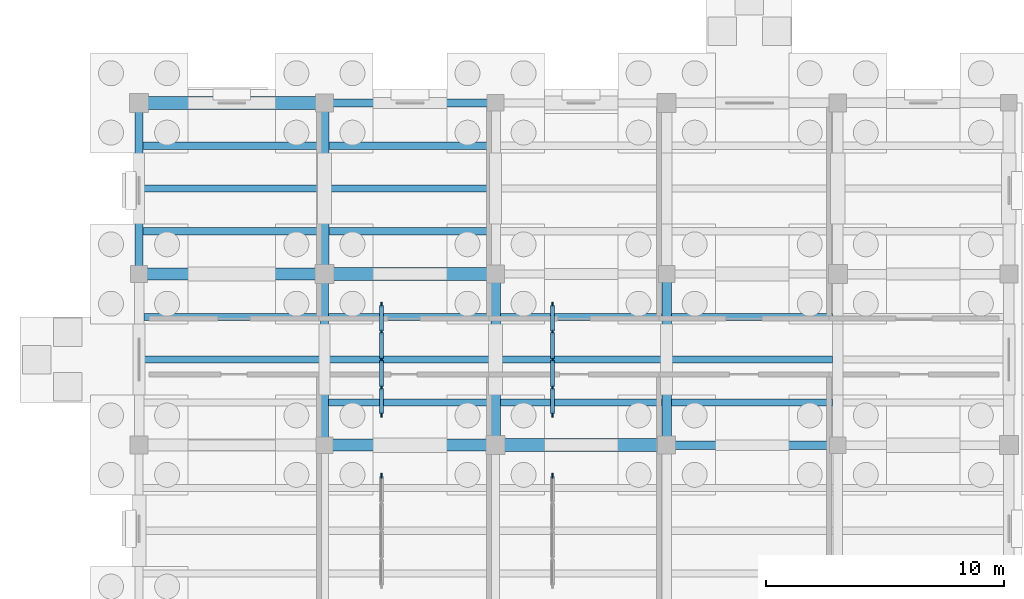
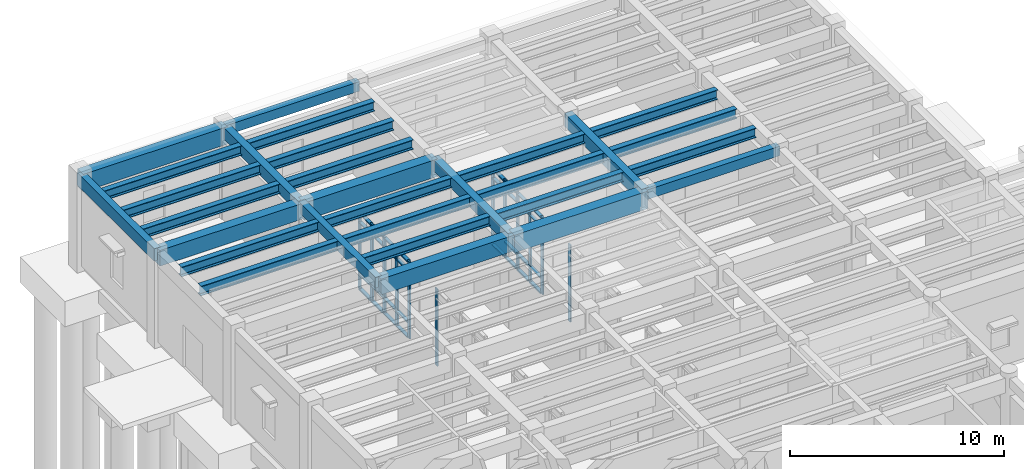
# One storey, part 25 of 100: 44 members, 29 beams, 4 elements without a shape of their own.
"""IFC4 building model written with IfcOpenShell, lengths in metres."""

from ifc_helpers import new_model, si_unit, direction, frame, origin, origin_2d, place, context, subcontext, project, spatial, rectangle, i_section, extrude, material, material_profile, profile_set, type_object, element, aggregate, save


model = new_model("IFC4")

# Units and contexts
model_context = context("Model", 3, precision=1e-05, world=origin(), true_north=direction((0.0, 1.0)))
body_context = subcontext(model_context, "Body", "Model", "MODEL_VIEW")
ifc_project = project(units=[si_unit("LENGTHUNIT", "METRE"), si_unit("AREAUNIT", "SQUARE_METRE"), si_unit("VOLUMEUNIT", "CUBIC_METRE"), si_unit("PLANEANGLEUNIT", "RADIAN"), si_unit("MASSUNIT", "GRAM", prefix="KILO")], contexts=[model_context])

# Site, building, storey
site_placement = place(None, origin())
site = spatial("IfcSite", under=ifc_project, at=site_placement, CompositionType="ELEMENT")
building_placement = place(site_placement, origin())
building = spatial("IfcBuilding", under=site, at=building_placement, Name="Mithqara Police Headquarters", CompositionType="ELEMENT")
storey_placement = place(building_placement, origin())
storey = spatial("IfcBuildingStorey", under=building, at=storey_placement, Name="L00", CompositionType="ELEMENT", Elevation=0.0)

# Beams
ifc_material_1 = material(Name="Steel S355JR", Category="steel")
ifc_material_profile_1 = material_profile(ifc_material_1, i_section(OverallWidth=0.300048828125, OverallDepth=0.550048828125, WebThickness=0.014892578125, FlangeThickness=0.029052734375, FilletRadius=0.027099609375, at=origin_2d()), Name="HEB 550")
ifc_profile_set_1 = profile_set([ifc_material_profile_1], Name="Steel S355JR")
beam_type_1 = type_object("IfcBeamType", Name="BEAM HEB550", PredefinedType="BEAM", material=ifc_profile_set_1)
for number, where, z_axis, x_axis, name in (
    (1, (0.199951171875, 96.60009765625, 4.844970703125), (1.0, 0.0, 0.0), (0.0, 1.0, 0.0), "L00 Composite Steel Joist 1-2/P.2"),
    (2, (0.199951171875, 98.39990234375, 4.844970703125), (1.0, 0.0, 0.0), (0.0, 1.0, 0.0), "L00 Composite Steel Joist 1-2/P.3"),
    (3, (0.175048828125, 102.0, 4.844970703125), (1.0, 0.0, 0.0), (0.0, 1.0, 0.0), "L00 Composite Steel Joist 1-2/Q.1"),
    (4, (0.175048828125, 103.800048828125, 4.844970703125), (1.0, 0.0, 0.0), (0.0, 1.0, 0.0), "L00 Composite Steel Joist 1-2/Q.2"),
    (5, (0.175048828125, 105.60009765625, 4.844970703125), (1.0, 0.0, 0.0), (0.0, 1.0, 0.0), "L00 Composite Steel Joist 1-2/Q.3"),
):
    element("IfcBeam", number, at=place(storey_placement, frame(where, z_axis=z_axis, x_axis=x_axis)), inside=storey, type_object=beam_type_1, Name=name, PredefinedType="BEAM", context=body_context, shape_type="SweptSolid", body=[
        extrude(i_section(OverallWidth=0.300048828125, OverallDepth=0.550048828125, WebThickness=0.014892578125, FlangeThickness=0.029052734375, FilletRadius=0.027099609375, at=origin_2d()), origin(), (0.0, 0.0, 1.0), 7.425048828125),
    ])
for number, where, z_axis, x_axis, name in (
    (6, (7.97509765625, 94.800048828125, 4.844970703125), (1.0, 0.0, 0.0), (0.0, 1.0, 0.0), "L00 Composite Steel Joist 2-3/P.1"),
    (7, (7.97509765625, 96.60009765625, 4.844970703125), (1.0, 0.0, 0.0), (0.0, 1.0, 0.0), "L00 Composite Steel Joist 2-3/P.2"),
    (8, (7.97509765625, 98.39990234375, 4.844970703125), (1.0, 0.0, 0.0), (0.0, 1.0, 0.0), "L00 Composite Steel Joist 2-3/P.3"),
):
    element("IfcBeam", number, at=place(storey_placement, frame(where, z_axis=z_axis, x_axis=x_axis)), inside=storey, type_object=beam_type_1, Name=name, PredefinedType="BEAM", context=body_context, shape_type="SweptSolid", body=[
        extrude(i_section(OverallWidth=0.300048828125, OverallDepth=0.550048828125, WebThickness=0.014892578125, FlangeThickness=0.029052734375, FilletRadius=0.027099609375, at=origin_2d()), origin(), (0.0, 0.0, 1.0), 6.824951171875),
    ])
for number, where, z_axis, x_axis, name in (
    (9, (8.0, 102.0, 4.844970703125), (1.0, 0.0, 0.0), (0.0, 1.0, 0.0), "L00 Composite Steel Joist 2-3/Q.1"),
    (10, (8.0, 103.800048828125, 4.844970703125), (1.0, 0.0, 0.0), (0.0, 1.0, 0.0), "L00 Composite Steel Joist 2-3/Q.2"),
    (11, (8.0, 105.60009765625, 4.844970703125), (1.0, 0.0, 0.0), (0.0, 1.0, 0.0), "L00 Composite Steel Joist 2-3/Q.3"),
    (12, (15.199951171875, 94.800048828125, 4.844970703125), (1.0, 0.0, 0.0), (0.0, 1.0, 0.0), "L00 Composite Steel Joist 3-4/P.1"),
    (13, (15.199951171875, 96.60009765625, 4.844970703125), (1.0, 0.0, 0.0), (0.0, 1.0, 0.0), "L00 Composite Steel Joist 3-4/P.2"),
    (14, (15.199951171875, 98.39990234375, 4.844970703125), (1.0, 0.0, 0.0), (0.0, 1.0, 0.0), "L00 Composite Steel Joist 3-4/P.3"),
):
    element("IfcBeam", number, at=place(storey_placement, frame(where, z_axis=z_axis, x_axis=x_axis)), inside=storey, type_object=beam_type_1, Name=name, PredefinedType="BEAM", context=body_context, shape_type="SweptSolid", body=[
        extrude(i_section(OverallWidth=0.300048828125, OverallDepth=0.550048828125, WebThickness=0.014892578125, FlangeThickness=0.029052734375, FilletRadius=0.027099609375, at=origin_2d()), origin(), (0.0, 0.0, 1.0), 6.800048828125),
    ])
for number, where, z_axis, x_axis, name in (
    (15, (22.39990234375, 94.800048828125, 4.844970703125), (1.0, 0.0, 0.0), (0.0, 1.0, 0.0), "L00 Composite Steel Joist 4-5/P.1"),
    (16, (22.39990234375, 96.60009765625, 4.844970703125), (1.0, 0.0, 0.0), (0.0, 1.0, 0.0), "L00 Composite Steel Joist 4-5/P.2"),
    (17, (22.39990234375, 98.39990234375, 4.844970703125), (1.0, 0.0, 0.0), (0.0, 1.0, 0.0), "L00 Composite Steel Joist 4-5/P.3"),
):
    element("IfcBeam", number, at=place(storey_placement, frame(where, z_axis=z_axis, x_axis=x_axis)), inside=storey, type_object=beam_type_1, Name=name, PredefinedType="BEAM", context=body_context, shape_type="SweptSolid", body=[
        extrude(i_section(OverallWidth=0.300048828125, OverallDepth=0.550048828125, WebThickness=0.014892578125, FlangeThickness=0.029052734375, FilletRadius=0.027099609375, at=origin_2d()), origin(), (0.0, 0.0, 1.0), 6.775146484375),
    ])
ifc_material_2 = material(Name="Concrete C40/50", Category="concrete")
ifc_material_profile_2 = material_profile(ifc_material_2, rectangle(XDim=0.35009765625, YDim=0.550048828125, at=origin_2d()), Name="RC 350x550")
ifc_profile_set_2 = profile_set([ifc_material_profile_2], Name="Concrete C40/50")
beam_type_2 = type_object("IfcBeamType", Name="BEAM RC350X550", PredefinedType="BEAM", material=ifc_profile_set_2)
for number, where, z_axis, x_axis, name in (
    (18, (7.800048828125, 107.39990234375, 4.844970703125), (1.0, 0.0, 0.0), (0.0, 1.0, 0.0), "L00 Girder 2-3/R"),
    (19, (22.199951171875, 93.0, 4.844970703125), (1.0, 0.0, 0.0), (0.0, 1.0, 0.0), "L00 Girder 4-5/P"),
):
    element("IfcBeam", number, at=place(storey_placement, frame(where, z_axis=z_axis, x_axis=x_axis)), inside=storey, type_object=beam_type_2, Name=name, PredefinedType="BEAM", context=body_context, shape_type="SweptSolid", body=[
        extrude(rectangle(XDim=0.35009765625, YDim=0.550048828125, at=origin_2d()), origin(), (0.0, 0.0, 1.0), 7.199951171875),
    ])
ifc_material_profile_3 = material_profile(ifc_material_2, rectangle(XDim=0.35009765625, YDim=0.60009765625, at=origin_2d()), Name="RC 350x600")
ifc_profile_set_3 = profile_set([ifc_material_profile_3], Name="Concrete C40/50")
beam_type_3 = type_object("IfcBeamType", Name="BEAM RC350X600", PredefinedType="BEAM", material=ifc_profile_set_3)
beam_1_placement = place(storey_placement, frame((7.800048828125, 93.0, 4.820068359375), z_axis=(0.0, 1.0, 0.0), x_axis=(-1.0, 0.0, 0.0)))
element("IfcBeam", 20, at=beam_1_placement, inside=storey, type_object=beam_type_3, Name="L00 Girder 2/P-Q", PredefinedType="BEAM", context=body_context, shape_type="SweptSolid", body=[
    extrude(rectangle(XDim=0.35009765625, YDim=0.60009765625, at=origin_2d()), origin(), (0.0, 0.0, 1.0), 7.199951171875),
])
ifc_material_profile_4 = material_profile(ifc_material_2, rectangle(XDim=0.39990234375, YDim=0.64990234375, at=origin_2d()), Name="RC 400x650")
ifc_profile_set_4 = profile_set([ifc_material_profile_4], Name="Concrete C40/50")
beam_type_4 = type_object("IfcBeamType", Name="BEAM RC400X650", PredefinedType="BEAM", material=ifc_profile_set_4)
for number, where, z_axis, x_axis, name in (
    (21, (7.800048828125, 100.199951171875, 4.794921875), (0.0, 1.0, 0.0), (-1.0, 0.0, 0.0), "L00 Girder 2/Q-R"),
    (22, (15.0, 93.0, 4.794921875), (0.0, 1.0, 0.0), (-1.0, 0.0, 0.0), "L00 Girder 3/P-Q"),
):
    element("IfcBeam", number, at=place(storey_placement, frame(where, z_axis=z_axis, x_axis=x_axis)), inside=storey, type_object=beam_type_4, Name=name, PredefinedType="BEAM", context=body_context, shape_type="SweptSolid", body=[
        extrude(rectangle(XDim=0.39990234375, YDim=0.64990234375, at=origin_2d()), origin(), (0.0, 0.0, 1.0), 7.199951171875),
    ])
ifc_material_profile_5 = material_profile(ifc_material_2, rectangle(XDim=0.39990234375, YDim=0.75, at=origin_2d()), Name="RC 400x750")
ifc_profile_set_5 = profile_set([ifc_material_profile_5], Name="Concrete C40/50")
beam_type_5 = type_object("IfcBeamType", Name="BEAM RC400X750", PredefinedType="BEAM", material=ifc_profile_set_5)
beam_2_placement = place(storey_placement, frame((22.199951171875, 93.0, 4.7451171875), z_axis=(0.0, 1.0, 0.0), x_axis=(-1.0, 0.0, 0.0)))
element("IfcBeam", 23, at=beam_2_placement, inside=storey, type_object=beam_type_5, Name="L00 Girder 4/P-Q", PredefinedType="BEAM", context=body_context, shape_type="SweptSolid", body=[
    extrude(rectangle(XDim=0.39990234375, YDim=0.75, at=origin_2d()), origin(), (0.0, 0.0, 1.0), 7.199951171875),
])
ifc_material_3 = material(Name="Concrete C50/60", Category="concrete")
ifc_material_profile_6 = material_profile(ifc_material_3, rectangle(XDim=0.5, YDim=0.89990234375, at=origin_2d()), Name="RC 500x900")
ifc_profile_set_6 = profile_set([ifc_material_profile_6], Name="Concrete C50/60")
beam_type_6 = type_object("IfcBeamType", Name="BEAM RC500X900", PredefinedType="BEAM", material=ifc_profile_set_6)
beam_3_placement = place(storey_placement, frame((0.0, 100.199951171875, 4.669921875), z_axis=(1.0, 0.0, 0.0), x_axis=(0.0, 1.0, 0.0)))
element("IfcBeam", 24, at=beam_3_placement, inside=storey, type_object=beam_type_6, Name="L00 Girder 1-2/Q", PredefinedType="BEAM", context=body_context, shape_type="SweptSolid", body=[
    extrude(rectangle(XDim=0.5, YDim=0.89990234375, at=origin_2d()), origin(), (0.0, 0.0, 1.0), 7.800048828125),
])
beam_4_placement = place(storey_placement, frame((7.800048828125, 93.0, 4.669921875), z_axis=(1.0, 0.0, 0.0), x_axis=(0.0, 1.0, 0.0)))
element("IfcBeam", 25, at=beam_4_placement, inside=storey, type_object=beam_type_6, Name="L00 Girder 2-3/P", PredefinedType="BEAM", context=body_context, shape_type="SweptSolid", body=[
    extrude(rectangle(XDim=0.5, YDim=0.89990234375, at=origin_2d()), origin(), (0.0, 0.0, 1.0), 7.199951171875),
])
ifc_material_profile_7 = material_profile(ifc_material_3, rectangle(XDim=0.550048828125, YDim=1.0, at=origin_2d()), Name="RC 550x1000")
ifc_profile_set_7 = profile_set([ifc_material_profile_7], Name="Concrete C50/60")
beam_type_7 = type_object("IfcBeamType", Name="BEAM RC550X1000", PredefinedType="BEAM", material=ifc_profile_set_7)
beam_5_placement = place(storey_placement, frame((0.0, 107.39990234375, 4.6201171875), z_axis=(1.0, 0.0, 0.0), x_axis=(0.0, 1.0, 0.0)))
element("IfcBeam", 26, at=beam_5_placement, inside=storey, type_object=beam_type_7, Name="L00 Girder 1-2/R", PredefinedType="BEAM", context=body_context, shape_type="SweptSolid", body=[
    extrude(rectangle(XDim=0.550048828125, YDim=1.0, at=origin_2d()), origin(), (0.0, 0.0, 1.0), 7.800048828125),
])
for number, where, z_axis, x_axis, name in (
    (27, (7.800048828125, 100.199951171875, 4.6201171875), (1.0, 0.0, 0.0), (0.0, 1.0, 0.0), "L00 Girder 2-3/Q"),
    (28, (15.0, 93.0, 4.6201171875), (1.0, 0.0, 0.0), (0.0, 1.0, 0.0), "L00 Girder 3-4/P"),
):
    element("IfcBeam", number, at=place(storey_placement, frame(where, z_axis=z_axis, x_axis=x_axis)), inside=storey, type_object=beam_type_7, Name=name, PredefinedType="BEAM", context=body_context, shape_type="SweptSolid", body=[
        extrude(rectangle(XDim=0.550048828125, YDim=1.0, at=origin_2d()), origin(), (0.0, 0.0, 1.0), 7.199951171875),
    ])

# Curtain wall, member
ifc_material_4 = material(Name="Bronze anodised aluminium 6063-T6", Category="aluminium")
curtain_wall_type = type_object("IfcCurtainWallType", Name="CURTAIN WALL 4700X4400", PredefinedType="USERDEFINED", material=ifc_material_4)
curtain_wall_1_placement = place(storey_placement, origin())
curtain_wall_1 = element("IfcCurtainWall", 29, at=curtain_wall_1_placement, inside=storey, type_object=curtain_wall_type, Name="L00 Unitised Glazing CW-14 (CW-INT-L00-X01-Y12-0)", ObjectType="UNITISED GLAZING", PredefinedType="USERDEFINED")
ifc_material_profile_8 = material_profile(ifc_material_4, rectangle(XDim=0.074951171875, YDim=0.219970703125, at=origin_2d()), Name="CWM 75x220")
ifc_profile_set_8 = profile_set([ifc_material_profile_8], Name="Bronze anodised aluminium 6063-T6")
member_type_1 = type_object("IfcMemberType", Name="CWMULLION 75X220", PredefinedType="MULLION", material=ifc_profile_set_8)
member_1_placement = place(storey_placement, frame((10.199951171875, 91.71240234375, 0.0), z_axis=(0.0, 0.0, 1.0), x_axis=(-1.0, 0.0, 0.0)))
member_1 = element("IfcMember", 30, at=member_1_placement, type_object=member_type_1, Name="CW-14 mullion 5", PredefinedType="MULLION", context=body_context, shape_type="SweptSolid", body=[
    extrude(rectangle(XDim=0.074951171875, YDim=0.219970703125, at=origin_2d()), origin(), (0.0, 0.0, 1.0), 4.39990234375),
])
aggregate(curtain_wall_1, [member_1])

# Curtain wall, members
curtain_wall_2_placement = place(storey_placement, origin())
curtain_wall_2 = element("IfcCurtainWall", 31, at=curtain_wall_2_placement, inside=storey, type_object=curtain_wall_type, Name="L00 Unitised Glazing CW-14 (CW-INT-L00-X01-Y13-0)", ObjectType="UNITISED GLAZING", PredefinedType="USERDEFINED")
member_2_placement = place(storey_placement, frame((10.199951171875, 94.28759765625, 0.0), z_axis=(0.0, 0.0, 1.0), x_axis=(-1.0, 0.0, 0.0)))
member_2 = element("IfcMember", 32, at=member_2_placement, type_object=member_type_1, Name="CW-14 mullion 1", PredefinedType="MULLION", context=body_context, shape_type="SweptSolid", body=[
    extrude(rectangle(XDim=0.074951171875, YDim=0.219970703125, at=origin_2d()), origin(), (0.0, 0.0, 1.0), 4.39990234375),
])
member_3_placement = place(storey_placement, frame((10.199951171875, 95.425048828125, 0.0), z_axis=(0.0, 0.0, 1.0), x_axis=(-1.0, 0.0, 0.0)))
member_3 = element("IfcMember", 33, at=member_3_placement, type_object=member_type_1, Name="CW-14 mullion 2", PredefinedType="MULLION", context=body_context, shape_type="SweptSolid", body=[
    extrude(rectangle(XDim=0.074951171875, YDim=0.219970703125, at=origin_2d()), origin(), (0.0, 0.0, 1.0), 4.39990234375),
])
member_4_placement = place(storey_placement, frame((10.199951171875, 96.60009765625, 0.0), z_axis=(0.0, 0.0, 1.0), x_axis=(-1.0, 0.0, 0.0)))
member_4 = element("IfcMember", 34, at=member_4_placement, type_object=member_type_1, Name="CW-14 mullion 3", PredefinedType="MULLION", context=body_context, shape_type="SweptSolid", body=[
    extrude(rectangle(XDim=0.074951171875, YDim=0.219970703125, at=origin_2d()), origin(), (0.0, 0.0, 1.0), 4.39990234375),
])
member_5_placement = place(storey_placement, frame((10.199951171875, 97.77490234375, 0.0), z_axis=(0.0, 0.0, 1.0), x_axis=(-1.0, 0.0, 0.0)))
member_5 = element("IfcMember", 35, at=member_5_placement, type_object=member_type_1, Name="CW-14 mullion 4", PredefinedType="MULLION", context=body_context, shape_type="SweptSolid", body=[
    extrude(rectangle(XDim=0.074951171875, YDim=0.219970703125, at=origin_2d()), origin(), (0.0, 0.0, 1.0), 4.39990234375),
])
member_6_placement = place(storey_placement, frame((10.199951171875, 98.91259765625, 0.0), z_axis=(0.0, 0.0, 1.0), x_axis=(-1.0, 0.0, 0.0)))
member_6 = element("IfcMember", 36, at=member_6_placement, type_object=member_type_1, Name="CW-14 mullion 5", PredefinedType="MULLION", context=body_context, shape_type="SweptSolid", body=[
    extrude(rectangle(XDim=0.074951171875, YDim=0.219970703125, at=origin_2d()), origin(), (0.0, 0.0, 1.0), 4.39990234375),
])

# Curtain wall, member
curtain_wall_3_placement = place(storey_placement, origin())
curtain_wall_3 = element("IfcCurtainWall", 37, at=curtain_wall_3_placement, inside=storey, type_object=curtain_wall_type, Name="L00 Unitised Glazing CW-14 (CW-INT-L00-X02-Y12-0)", ObjectType="UNITISED GLAZING", PredefinedType="USERDEFINED")
member_7_placement = place(storey_placement, frame((17.39990234375, 91.71240234375, 0.0), z_axis=(0.0, 0.0, 1.0), x_axis=(-1.0, 0.0, 0.0)))
member_7 = element("IfcMember", 38, at=member_7_placement, type_object=member_type_1, Name="CW-14 mullion 5", PredefinedType="MULLION", context=body_context, shape_type="SweptSolid", body=[
    extrude(rectangle(XDim=0.074951171875, YDim=0.219970703125, at=origin_2d()), origin(), (0.0, 0.0, 1.0), 4.39990234375),
])
aggregate(curtain_wall_3, [member_7])

# Curtain wall, members
curtain_wall_4_placement = place(storey_placement, origin())
curtain_wall_4 = element("IfcCurtainWall", 39, at=curtain_wall_4_placement, inside=storey, type_object=curtain_wall_type, Name="L00 Unitised Glazing CW-14 (CW-INT-L00-X02-Y13-0)", ObjectType="UNITISED GLAZING", PredefinedType="USERDEFINED")
member_8_placement = place(storey_placement, frame((17.39990234375, 94.28759765625, 0.0), z_axis=(0.0, 0.0, 1.0), x_axis=(-1.0, 0.0, 0.0)))
member_8 = element("IfcMember", 40, at=member_8_placement, type_object=member_type_1, Name="CW-14 mullion 1", PredefinedType="MULLION", context=body_context, shape_type="SweptSolid", body=[
    extrude(rectangle(XDim=0.074951171875, YDim=0.219970703125, at=origin_2d()), origin(), (0.0, 0.0, 1.0), 4.39990234375),
])
member_9_placement = place(storey_placement, frame((17.39990234375, 95.425048828125, 0.0), z_axis=(0.0, 0.0, 1.0), x_axis=(-1.0, 0.0, 0.0)))
member_9 = element("IfcMember", 41, at=member_9_placement, type_object=member_type_1, Name="CW-14 mullion 2", PredefinedType="MULLION", context=body_context, shape_type="SweptSolid", body=[
    extrude(rectangle(XDim=0.074951171875, YDim=0.219970703125, at=origin_2d()), origin(), (0.0, 0.0, 1.0), 4.39990234375),
])
member_10_placement = place(storey_placement, frame((17.39990234375, 96.60009765625, 0.0), z_axis=(0.0, 0.0, 1.0), x_axis=(-1.0, 0.0, 0.0)))
member_10 = element("IfcMember", 42, at=member_10_placement, type_object=member_type_1, Name="CW-14 mullion 3", PredefinedType="MULLION", context=body_context, shape_type="SweptSolid", body=[
    extrude(rectangle(XDim=0.074951171875, YDim=0.219970703125, at=origin_2d()), origin(), (0.0, 0.0, 1.0), 4.39990234375),
])
member_11_placement = place(storey_placement, frame((17.39990234375, 97.77490234375, 0.0), z_axis=(0.0, 0.0, 1.0), x_axis=(-1.0, 0.0, 0.0)))
member_11 = element("IfcMember", 43, at=member_11_placement, type_object=member_type_1, Name="CW-14 mullion 4", PredefinedType="MULLION", context=body_context, shape_type="SweptSolid", body=[
    extrude(rectangle(XDim=0.074951171875, YDim=0.219970703125, at=origin_2d()), origin(), (0.0, 0.0, 1.0), 4.39990234375),
])
member_12_placement = place(storey_placement, frame((17.39990234375, 98.91259765625, 0.0), z_axis=(0.0, 0.0, 1.0), x_axis=(-1.0, 0.0, 0.0)))
member_12 = element("IfcMember", 44, at=member_12_placement, type_object=member_type_1, Name="CW-14 mullion 5", PredefinedType="MULLION", context=body_context, shape_type="SweptSolid", body=[
    extrude(rectangle(XDim=0.074951171875, YDim=0.219970703125, at=origin_2d()), origin(), (0.0, 0.0, 1.0), 4.39990234375),
])

# Member
ifc_material_profile_9 = material_profile(ifc_material_4, rectangle(XDim=0.179931640625, YDim=0.074951171875, at=origin_2d()), Name="CWT 180x75")
ifc_profile_set_9 = profile_set([ifc_material_profile_9], Name="Bronze anodised aluminium 6063-T6")
member_type_2 = type_object("IfcMemberType", Name="CWTRANSOM 180X75", PredefinedType="USERDEFINED", material=ifc_profile_set_9)
member_13_placement = place(storey_placement, frame((10.199951171875, 94.324951171875, 0.03759765625), z_axis=(0.0, 1.0, 0.0), x_axis=(-1.0, 0.0, 0.0)))
member_13 = element("IfcMember", 45, at=member_13_placement, type_object=member_type_2, Name="CW-14 transom 1.1", ObjectType="TRANSOM", PredefinedType="USERDEFINED", context=body_context, shape_type="SweptSolid", body=[
    extrude(rectangle(XDim=0.179931640625, YDim=0.074951171875, at=origin_2d()), origin(), (0.0, 0.0, 1.0), 1.0625),
])

member_14_placement = place(storey_placement, frame((10.199951171875, 94.324951171875, 0.89990234375), z_axis=(0.0, 1.0, 0.0), x_axis=(-1.0, 0.0, 0.0)))
member_14 = element("IfcMember", 46, at=member_14_placement, type_object=member_type_2, Name="CW-14 transom 1.2", ObjectType="TRANSOM", PredefinedType="USERDEFINED", context=body_context, shape_type="SweptSolid", body=[
    extrude(rectangle(XDim=0.179931640625, YDim=0.074951171875, at=origin_2d()), origin(), (0.0, 0.0, 1.0), 1.0625),
])

member_15_placement = place(storey_placement, frame((10.199951171875, 94.324951171875, 3.85009765625), z_axis=(0.0, 1.0, 0.0), x_axis=(-1.0, 0.0, 0.0)))
member_15 = element("IfcMember", 47, at=member_15_placement, type_object=member_type_2, Name="CW-14 transom 1.3", ObjectType="TRANSOM", PredefinedType="USERDEFINED", context=body_context, shape_type="SweptSolid", body=[
    extrude(rectangle(XDim=0.179931640625, YDim=0.074951171875, at=origin_2d()), origin(), (0.0, 0.0, 1.0), 1.0625),
])

member_16_placement = place(storey_placement, frame((10.199951171875, 94.324951171875, 4.362548828125), z_axis=(0.0, 1.0, 0.0), x_axis=(-1.0, 0.0, 0.0)))
member_16 = element("IfcMember", 48, at=member_16_placement, type_object=member_type_2, Name="CW-14 transom 1.4", ObjectType="TRANSOM", PredefinedType="USERDEFINED", context=body_context, shape_type="SweptSolid", body=[
    extrude(rectangle(XDim=0.179931640625, YDim=0.074951171875, at=origin_2d()), origin(), (0.0, 0.0, 1.0), 1.0625),
])

member_17_placement = place(storey_placement, frame((10.199951171875, 95.46240234375, 0.03759765625), z_axis=(0.0, 1.0, 0.0), x_axis=(-1.0, 0.0, 0.0)))
member_17 = element("IfcMember", 49, at=member_17_placement, type_object=member_type_2, Name="CW-14 transom 2.1", ObjectType="TRANSOM", PredefinedType="USERDEFINED", context=body_context, shape_type="SweptSolid", body=[
    extrude(rectangle(XDim=0.179931640625, YDim=0.074951171875, at=origin_2d()), origin(), (0.0, 0.0, 1.0), 1.10009765625),
])

member_18_placement = place(storey_placement, frame((10.199951171875, 95.46240234375, 0.89990234375), z_axis=(0.0, 1.0, 0.0), x_axis=(-1.0, 0.0, 0.0)))
member_18 = element("IfcMember", 50, at=member_18_placement, type_object=member_type_2, Name="CW-14 transom 2.2", ObjectType="TRANSOM", PredefinedType="USERDEFINED", context=body_context, shape_type="SweptSolid", body=[
    extrude(rectangle(XDim=0.179931640625, YDim=0.074951171875, at=origin_2d()), origin(), (0.0, 0.0, 1.0), 1.10009765625),
])

member_19_placement = place(storey_placement, frame((10.199951171875, 95.46240234375, 3.85009765625), z_axis=(0.0, 1.0, 0.0), x_axis=(-1.0, 0.0, 0.0)))
member_19 = element("IfcMember", 51, at=member_19_placement, type_object=member_type_2, Name="CW-14 transom 2.3", ObjectType="TRANSOM", PredefinedType="USERDEFINED", context=body_context, shape_type="SweptSolid", body=[
    extrude(rectangle(XDim=0.179931640625, YDim=0.074951171875, at=origin_2d()), origin(), (0.0, 0.0, 1.0), 1.10009765625),
])

member_20_placement = place(storey_placement, frame((10.199951171875, 95.46240234375, 4.362548828125), z_axis=(0.0, 1.0, 0.0), x_axis=(-1.0, 0.0, 0.0)))
member_20 = element("IfcMember", 52, at=member_20_placement, type_object=member_type_2, Name="CW-14 transom 2.4", ObjectType="TRANSOM", PredefinedType="USERDEFINED", context=body_context, shape_type="SweptSolid", body=[
    extrude(rectangle(XDim=0.179931640625, YDim=0.074951171875, at=origin_2d()), origin(), (0.0, 0.0, 1.0), 1.10009765625),
])

member_21_placement = place(storey_placement, frame((10.199951171875, 96.637451171875, 0.03759765625), z_axis=(0.0, 1.0, 0.0), x_axis=(-1.0, 0.0, 0.0)))
member_21 = element("IfcMember", 53, at=member_21_placement, type_object=member_type_2, Name="CW-14 transom 3.1", ObjectType="TRANSOM", PredefinedType="USERDEFINED", context=body_context, shape_type="SweptSolid", body=[
    extrude(rectangle(XDim=0.179931640625, YDim=0.074951171875, at=origin_2d()), origin(), (0.0, 0.0, 1.0), 1.10009765625),
])

member_22_placement = place(storey_placement, frame((10.199951171875, 96.637451171875, 0.89990234375), z_axis=(0.0, 1.0, 0.0), x_axis=(-1.0, 0.0, 0.0)))
member_22 = element("IfcMember", 54, at=member_22_placement, type_object=member_type_2, Name="CW-14 transom 3.2", ObjectType="TRANSOM", PredefinedType="USERDEFINED", context=body_context, shape_type="SweptSolid", body=[
    extrude(rectangle(XDim=0.179931640625, YDim=0.074951171875, at=origin_2d()), origin(), (0.0, 0.0, 1.0), 1.10009765625),
])

member_23_placement = place(storey_placement, frame((10.199951171875, 96.637451171875, 3.85009765625), z_axis=(0.0, 1.0, 0.0), x_axis=(-1.0, 0.0, 0.0)))
member_23 = element("IfcMember", 55, at=member_23_placement, type_object=member_type_2, Name="CW-14 transom 3.3", ObjectType="TRANSOM", PredefinedType="USERDEFINED", context=body_context, shape_type="SweptSolid", body=[
    extrude(rectangle(XDim=0.179931640625, YDim=0.074951171875, at=origin_2d()), origin(), (0.0, 0.0, 1.0), 1.10009765625),
])

member_24_placement = place(storey_placement, frame((10.199951171875, 96.637451171875, 4.362548828125), z_axis=(0.0, 1.0, 0.0), x_axis=(-1.0, 0.0, 0.0)))
member_24 = element("IfcMember", 56, at=member_24_placement, type_object=member_type_2, Name="CW-14 transom 3.4", ObjectType="TRANSOM", PredefinedType="USERDEFINED", context=body_context, shape_type="SweptSolid", body=[
    extrude(rectangle(XDim=0.179931640625, YDim=0.074951171875, at=origin_2d()), origin(), (0.0, 0.0, 1.0), 1.10009765625),
])

member_25_placement = place(storey_placement, frame((10.199951171875, 97.8125, 0.03759765625), z_axis=(0.0, 1.0, 0.0), x_axis=(-1.0, 0.0, 0.0)))
member_25 = element("IfcMember", 57, at=member_25_placement, type_object=member_type_2, Name="CW-14 transom 4.1", ObjectType="TRANSOM", PredefinedType="USERDEFINED", context=body_context, shape_type="SweptSolid", body=[
    extrude(rectangle(XDim=0.179931640625, YDim=0.074951171875, at=origin_2d()), origin(), (0.0, 0.0, 1.0), 1.0625),
])

member_26_placement = place(storey_placement, frame((10.199951171875, 97.8125, 0.89990234375), z_axis=(0.0, 1.0, 0.0), x_axis=(-1.0, 0.0, 0.0)))
member_26 = element("IfcMember", 58, at=member_26_placement, type_object=member_type_2, Name="CW-14 transom 4.2", ObjectType="TRANSOM", PredefinedType="USERDEFINED", context=body_context, shape_type="SweptSolid", body=[
    extrude(rectangle(XDim=0.179931640625, YDim=0.074951171875, at=origin_2d()), origin(), (0.0, 0.0, 1.0), 1.0625),
])

member_27_placement = place(storey_placement, frame((10.199951171875, 97.8125, 3.85009765625), z_axis=(0.0, 1.0, 0.0), x_axis=(-1.0, 0.0, 0.0)))
member_27 = element("IfcMember", 59, at=member_27_placement, type_object=member_type_2, Name="CW-14 transom 4.3", ObjectType="TRANSOM", PredefinedType="USERDEFINED", context=body_context, shape_type="SweptSolid", body=[
    extrude(rectangle(XDim=0.179931640625, YDim=0.074951171875, at=origin_2d()), origin(), (0.0, 0.0, 1.0), 1.0625),
])

member_28_placement = place(storey_placement, frame((10.199951171875, 97.8125, 4.362548828125), z_axis=(0.0, 1.0, 0.0), x_axis=(-1.0, 0.0, 0.0)))
member_28 = element("IfcMember", 60, at=member_28_placement, type_object=member_type_2, Name="CW-14 transom 4.4", ObjectType="TRANSOM", PredefinedType="USERDEFINED", context=body_context, shape_type="SweptSolid", body=[
    extrude(rectangle(XDim=0.179931640625, YDim=0.074951171875, at=origin_2d()), origin(), (0.0, 0.0, 1.0), 1.0625),
])

aggregate(curtain_wall_2, [member_2, member_3, member_4, member_5, member_6, member_13, member_14, member_15, member_16, member_17, member_18, member_19, member_20, member_21, member_22, member_23, member_24, member_25, member_26, member_27, member_28])

member_29_placement = place(storey_placement, frame((17.39990234375, 94.324951171875, 0.03759765625), z_axis=(0.0, 1.0, 0.0), x_axis=(-1.0, 0.0, 0.0)))
member_29 = element("IfcMember", 61, at=member_29_placement, type_object=member_type_2, Name="CW-14 transom 1.1", ObjectType="TRANSOM", PredefinedType="USERDEFINED", context=body_context, shape_type="SweptSolid", body=[
    extrude(rectangle(XDim=0.179931640625, YDim=0.074951171875, at=origin_2d()), origin(), (0.0, 0.0, 1.0), 1.0625),
])

member_30_placement = place(storey_placement, frame((17.39990234375, 94.324951171875, 0.89990234375), z_axis=(0.0, 1.0, 0.0), x_axis=(-1.0, 0.0, 0.0)))
member_30 = element("IfcMember", 62, at=member_30_placement, type_object=member_type_2, Name="CW-14 transom 1.2", ObjectType="TRANSOM", PredefinedType="USERDEFINED", context=body_context, shape_type="SweptSolid", body=[
    extrude(rectangle(XDim=0.179931640625, YDim=0.074951171875, at=origin_2d()), origin(), (0.0, 0.0, 1.0), 1.0625),
])

member_31_placement = place(storey_placement, frame((17.39990234375, 94.324951171875, 3.85009765625), z_axis=(0.0, 1.0, 0.0), x_axis=(-1.0, 0.0, 0.0)))
member_31 = element("IfcMember", 63, at=member_31_placement, type_object=member_type_2, Name="CW-14 transom 1.3", ObjectType="TRANSOM", PredefinedType="USERDEFINED", context=body_context, shape_type="SweptSolid", body=[
    extrude(rectangle(XDim=0.179931640625, YDim=0.074951171875, at=origin_2d()), origin(), (0.0, 0.0, 1.0), 1.0625),
])

member_32_placement = place(storey_placement, frame((17.39990234375, 94.324951171875, 4.362548828125), z_axis=(0.0, 1.0, 0.0), x_axis=(-1.0, 0.0, 0.0)))
member_32 = element("IfcMember", 64, at=member_32_placement, type_object=member_type_2, Name="CW-14 transom 1.4", ObjectType="TRANSOM", PredefinedType="USERDEFINED", context=body_context, shape_type="SweptSolid", body=[
    extrude(rectangle(XDim=0.179931640625, YDim=0.074951171875, at=origin_2d()), origin(), (0.0, 0.0, 1.0), 1.0625),
])

member_33_placement = place(storey_placement, frame((17.39990234375, 95.46240234375, 0.03759765625), z_axis=(0.0, 1.0, 0.0), x_axis=(-1.0, 0.0, 0.0)))
member_33 = element("IfcMember", 65, at=member_33_placement, type_object=member_type_2, Name="CW-14 transom 2.1", ObjectType="TRANSOM", PredefinedType="USERDEFINED", context=body_context, shape_type="SweptSolid", body=[
    extrude(rectangle(XDim=0.179931640625, YDim=0.074951171875, at=origin_2d()), origin(), (0.0, 0.0, 1.0), 1.10009765625),
])

member_34_placement = place(storey_placement, frame((17.39990234375, 95.46240234375, 0.89990234375), z_axis=(0.0, 1.0, 0.0), x_axis=(-1.0, 0.0, 0.0)))
member_34 = element("IfcMember", 66, at=member_34_placement, type_object=member_type_2, Name="CW-14 transom 2.2", ObjectType="TRANSOM", PredefinedType="USERDEFINED", context=body_context, shape_type="SweptSolid", body=[
    extrude(rectangle(XDim=0.179931640625, YDim=0.074951171875, at=origin_2d()), origin(), (0.0, 0.0, 1.0), 1.10009765625),
])

member_35_placement = place(storey_placement, frame((17.39990234375, 95.46240234375, 3.85009765625), z_axis=(0.0, 1.0, 0.0), x_axis=(-1.0, 0.0, 0.0)))
member_35 = element("IfcMember", 67, at=member_35_placement, type_object=member_type_2, Name="CW-14 transom 2.3", ObjectType="TRANSOM", PredefinedType="USERDEFINED", context=body_context, shape_type="SweptSolid", body=[
    extrude(rectangle(XDim=0.179931640625, YDim=0.074951171875, at=origin_2d()), origin(), (0.0, 0.0, 1.0), 1.10009765625),
])

member_36_placement = place(storey_placement, frame((17.39990234375, 95.46240234375, 4.362548828125), z_axis=(0.0, 1.0, 0.0), x_axis=(-1.0, 0.0, 0.0)))
member_36 = element("IfcMember", 68, at=member_36_placement, type_object=member_type_2, Name="CW-14 transom 2.4", ObjectType="TRANSOM", PredefinedType="USERDEFINED", context=body_context, shape_type="SweptSolid", body=[
    extrude(rectangle(XDim=0.179931640625, YDim=0.074951171875, at=origin_2d()), origin(), (0.0, 0.0, 1.0), 1.10009765625),
])

member_37_placement = place(storey_placement, frame((17.39990234375, 96.637451171875, 0.03759765625), z_axis=(0.0, 1.0, 0.0), x_axis=(-1.0, 0.0, 0.0)))
member_37 = element("IfcMember", 69, at=member_37_placement, type_object=member_type_2, Name="CW-14 transom 3.1", ObjectType="TRANSOM", PredefinedType="USERDEFINED", context=body_context, shape_type="SweptSolid", body=[
    extrude(rectangle(XDim=0.179931640625, YDim=0.074951171875, at=origin_2d()), origin(), (0.0, 0.0, 1.0), 1.10009765625),
])

member_38_placement = place(storey_placement, frame((17.39990234375, 96.637451171875, 0.89990234375), z_axis=(0.0, 1.0, 0.0), x_axis=(-1.0, 0.0, 0.0)))
member_38 = element("IfcMember", 70, at=member_38_placement, type_object=member_type_2, Name="CW-14 transom 3.2", ObjectType="TRANSOM", PredefinedType="USERDEFINED", context=body_context, shape_type="SweptSolid", body=[
    extrude(rectangle(XDim=0.179931640625, YDim=0.074951171875, at=origin_2d()), origin(), (0.0, 0.0, 1.0), 1.10009765625),
])

member_39_placement = place(storey_placement, frame((17.39990234375, 96.637451171875, 3.85009765625), z_axis=(0.0, 1.0, 0.0), x_axis=(-1.0, 0.0, 0.0)))
member_39 = element("IfcMember", 71, at=member_39_placement, type_object=member_type_2, Name="CW-14 transom 3.3", ObjectType="TRANSOM", PredefinedType="USERDEFINED", context=body_context, shape_type="SweptSolid", body=[
    extrude(rectangle(XDim=0.179931640625, YDim=0.074951171875, at=origin_2d()), origin(), (0.0, 0.0, 1.0), 1.10009765625),
])

member_40_placement = place(storey_placement, frame((17.39990234375, 96.637451171875, 4.362548828125), z_axis=(0.0, 1.0, 0.0), x_axis=(-1.0, 0.0, 0.0)))
member_40 = element("IfcMember", 72, at=member_40_placement, type_object=member_type_2, Name="CW-14 transom 3.4", ObjectType="TRANSOM", PredefinedType="USERDEFINED", context=body_context, shape_type="SweptSolid", body=[
    extrude(rectangle(XDim=0.179931640625, YDim=0.074951171875, at=origin_2d()), origin(), (0.0, 0.0, 1.0), 1.10009765625),
])

member_41_placement = place(storey_placement, frame((17.39990234375, 97.8125, 0.03759765625), z_axis=(0.0, 1.0, 0.0), x_axis=(-1.0, 0.0, 0.0)))
member_41 = element("IfcMember", 73, at=member_41_placement, type_object=member_type_2, Name="CW-14 transom 4.1", ObjectType="TRANSOM", PredefinedType="USERDEFINED", context=body_context, shape_type="SweptSolid", body=[
    extrude(rectangle(XDim=0.179931640625, YDim=0.074951171875, at=origin_2d()), origin(), (0.0, 0.0, 1.0), 1.0625),
])

member_42_placement = place(storey_placement, frame((17.39990234375, 97.8125, 0.89990234375), z_axis=(0.0, 1.0, 0.0), x_axis=(-1.0, 0.0, 0.0)))
member_42 = element("IfcMember", 74, at=member_42_placement, type_object=member_type_2, Name="CW-14 transom 4.2", ObjectType="TRANSOM", PredefinedType="USERDEFINED", context=body_context, shape_type="SweptSolid", body=[
    extrude(rectangle(XDim=0.179931640625, YDim=0.074951171875, at=origin_2d()), origin(), (0.0, 0.0, 1.0), 1.0625),
])

member_43_placement = place(storey_placement, frame((17.39990234375, 97.8125, 3.85009765625), z_axis=(0.0, 1.0, 0.0), x_axis=(-1.0, 0.0, 0.0)))
member_43 = element("IfcMember", 75, at=member_43_placement, type_object=member_type_2, Name="CW-14 transom 4.3", ObjectType="TRANSOM", PredefinedType="USERDEFINED", context=body_context, shape_type="SweptSolid", body=[
    extrude(rectangle(XDim=0.179931640625, YDim=0.074951171875, at=origin_2d()), origin(), (0.0, 0.0, 1.0), 1.0625),
])

member_44_placement = place(storey_placement, frame((17.39990234375, 97.8125, 4.362548828125), z_axis=(0.0, 1.0, 0.0), x_axis=(-1.0, 0.0, 0.0)))
member_44 = element("IfcMember", 76, at=member_44_placement, type_object=member_type_2, Name="CW-14 transom 4.4", ObjectType="TRANSOM", PredefinedType="USERDEFINED", context=body_context, shape_type="SweptSolid", body=[
    extrude(rectangle(XDim=0.179931640625, YDim=0.074951171875, at=origin_2d()), origin(), (0.0, 0.0, 1.0), 1.0625),
])

aggregate(curtain_wall_4, [member_8, member_9, member_10, member_11, member_12, member_29, member_30, member_31, member_32, member_33, member_34, member_35, member_36, member_37, member_38, member_39, member_40, member_41, member_42, member_43, member_44])

# Beam
ifc_material_profile_10 = material_profile(ifc_material_2, rectangle(XDim=0.35009765625, YDim=0.699951171875, at=origin_2d()), Name="SPB 350x700")
ifc_profile_set_10 = profile_set([ifc_material_profile_10], Name="Concrete C40/50")
beam_type_8 = type_object("IfcBeamType", Name="SPANDREL 350X700", PredefinedType="SPANDREL", material=ifc_profile_set_10)
beam_6_placement = place(storey_placement, frame((0.0, 100.199951171875, 4.77001953125), z_axis=(0.0, 1.0, 0.0), x_axis=(-1.0, 0.0, 0.0)))
element("IfcBeam", 77, at=beam_6_placement, inside=storey, type_object=beam_type_8, Name="L00 Girder 1/Q-R", PredefinedType="SPANDREL", context=body_context, shape_type="SweptSolid", body=[
    extrude(rectangle(XDim=0.35009765625, YDim=0.699951171875, at=origin_2d()), origin(), (0.0, 0.0, 1.0), 7.199951171875),
])

save(model, "model.ifc")
